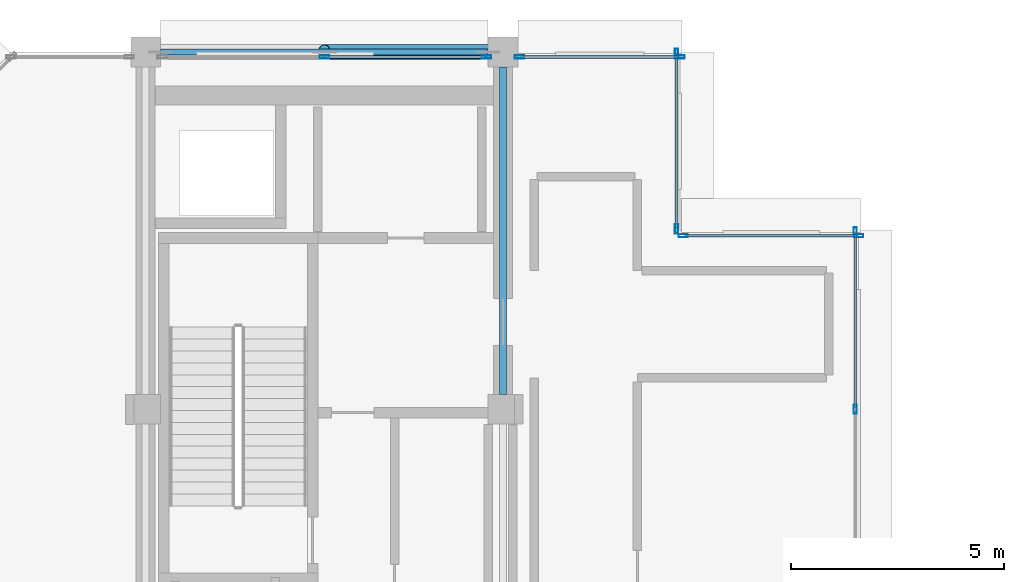
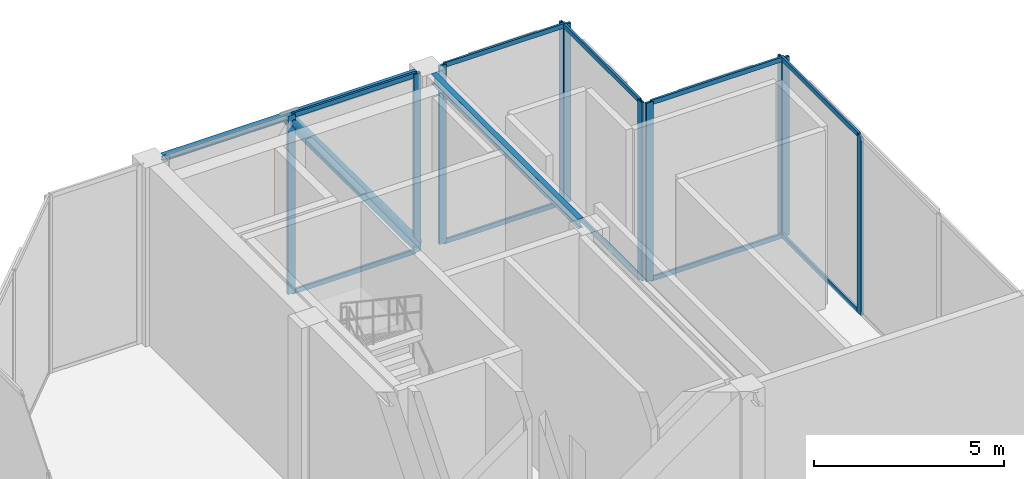
# One storey, part 13 of 19: 21 members, 2 beams, 5 elements without a shape of their own.
"""IFC4 building model written with IfcOpenShell, lengths in metres."""

from ifc_helpers import new_model, si_unit, direction, frame, origin, origin_2d, place, context, subcontext, project, spatial, hollow_rectangle, hollow_circle, i_section, extrude, material, layer, layer_set, material_profile, profile_set, type_object, element, aggregate, save


model = new_model("IFC4")

# Units and contexts
model_context = context("Model", 3, precision=1e-05, world=origin(), true_north=direction((0.0, 1.0)))
body_context = subcontext(model_context, "Body", "Model", "MODEL_VIEW")
ifc_project = project(units=[si_unit("LENGTHUNIT", "METRE"), si_unit("AREAUNIT", "SQUARE_METRE"), si_unit("VOLUMEUNIT", "CUBIC_METRE"), si_unit("PLANEANGLEUNIT", "RADIAN"), si_unit("MASSUNIT", "GRAM", prefix="KILO")], contexts=[model_context])

# Site, building, storey
site_placement = place(None, origin())
site = spatial("IfcSite", under=ifc_project, at=site_placement, CompositionType="ELEMENT")
building_placement = place(site_placement, origin())
building = spatial("IfcBuilding", under=site, at=building_placement, Name="Nerrivon Quay Data Exchange", CompositionType="ELEMENT")
storey_placement = place(building_placement, frame((0.0, 0.0, 327.0)))
storey = spatial("IfcBuildingStorey", under=building, at=storey_placement, Name="L78", CompositionType="ELEMENT", Elevation=327.0)

# Beams
ifc_material_1 = material(Name="Steel Grade 350", Category="steel")
ifc_material_profile_1 = material_profile(ifc_material_1, i_section(OverallWidth=0.166015625, OverallDepth=0.306884765625, WebThickness=0.006591796875, FlangeThickness=0.01171875, FilletRadius=0.011474609375, at=origin_2d()), Name="310UB46.2")
ifc_profile_set_1 = profile_set([ifc_material_profile_1], Name="Steel Grade 350")
beam_type_1 = type_object("IfcBeamType", Name="BM-J5-310UB46", PredefinedType="JOIST", material=ifc_profile_set_1)
beam_1_placement = place(storey_placement, frame((16.800048828125, 33.949951171875, 5.571533203125), z_axis=(0.0, 1.0, 0.0), x_axis=(-1.0, 0.0, 0.0)))
element("IfcBeam", 1, at=beam_1_placement, inside=storey, type_object=beam_type_1, Name="L78 NS Girder X=16.8 (33.6..42.0)", PredefinedType="JOIST", context=body_context, shape_type="SweptSolid", body=[
    extrude(i_section(OverallWidth=0.166015625, OverallDepth=0.306884765625, WebThickness=0.006591796875, FlangeThickness=0.01171875, FilletRadius=0.011474609375, at=origin_2d()), origin(), (0.0, 0.0, 1.0), 7.699951171875),
])
ifc_material_profile_2 = material_profile(ifc_material_1, i_section(OverallWidth=0.134033203125, OverallDepth=0.20703125, WebThickness=0.00634765625, FlangeThickness=0.009521484375, FilletRadius=0.0087890625, at=origin_2d()), Name="200UB29.8")
ifc_profile_set_2 = profile_set([ifc_material_profile_2], Name="Steel Grade 350")
beam_type_2 = type_object("IfcBeamType", Name="BM-J8-200UB30", PredefinedType="JOIST", material=ifc_profile_set_2)
beam_2_placement = place(storey_placement, frame((8.75, 42.0, 5.62158203125), z_axis=(1.0, 0.0, 0.0), x_axis=(0.0, 1.0, 0.0)))
element("IfcBeam", 2, at=beam_2_placement, inside=storey, type_object=beam_type_2, Name="L78 EW Girder Y=42.0 (8.4..16.8)", PredefinedType="JOIST", context=body_context, shape_type="SweptSolid", body=[
    extrude(i_section(OverallWidth=0.134033203125, OverallDepth=0.20703125, WebThickness=0.00634765625, FlangeThickness=0.009521484375, FilletRadius=0.0087890625, at=origin_2d()), origin(), (0.0, 0.0, 1.0), 7.699951171875),
])

# Curtain wall, members
ifc_material_2 = material(Name="Anodised aluminium 6063-T6", Category="aluminium")
ifc_layer = layer(ifc_material_2, 0.22998046875)
ifc_layer_set = layer_set([ifc_layer], Name="Anodised aluminium 6063-T6")
curtain_wall_type = type_object("IfcCurtainWallType", Name="CW-SYS-05", PredefinedType="NOTDEFINED", material=ifc_layer_set)
curtain_wall_1_placement = place(storey_placement, origin())
curtain_wall_1 = element("IfcCurtainWall", 3, at=curtain_wall_1_placement, inside=storey, type_object=curtain_wall_type, Name="L78 Crown Curtain Wall 16", PredefinedType="NOTDEFINED")
ifc_material_profile_3 = material_profile(ifc_material_2, hollow_rectangle(XDim=0.074951171875, YDim=0.219970703125, WallThickness=0.00390625, at=origin_2d()), Name="ALU-MULL-220x75")
ifc_profile_set_3 = profile_set([ifc_material_profile_3], Name="Anodised aluminium 6063-T6")
member_type_1 = type_object("IfcMemberType", Name="CWM-220x75", PredefinedType="MULLION", material=ifc_profile_set_3)
member_1_placement = place(storey_placement, frame((12.60009765625, 41.8798828125, 0.0), z_axis=(0.0, 0.0, 1.0), x_axis=(0.0, 1.0, 0.0)))
member_1 = element("IfcMember", 4, at=member_1_placement, type_object=member_type_1, Name="CW05 mullion 2", PredefinedType="MULLION", context=body_context, shape_type="SweptSolid", body=[
    extrude(hollow_rectangle(XDim=0.074951171875, YDim=0.219970703125, WallThickness=0.00390625, at=origin_2d()), origin(), (0.0, 0.0, 1.0), 5.72509765625),
])
member_2_placement = place(storey_placement, frame((16.41259765625, 41.8798828125, 0.0), z_axis=(0.0, 0.0, 1.0), x_axis=(0.0, 1.0, 0.0)))
member_2 = element("IfcMember", 5, at=member_2_placement, type_object=member_type_1, Name="CW05 mullion 3", PredefinedType="MULLION", context=body_context, shape_type="SweptSolid", body=[
    extrude(hollow_rectangle(XDim=0.074951171875, YDim=0.219970703125, WallThickness=0.00390625, at=origin_2d()), origin(), (0.0, 0.0, 1.0), 5.72509765625),
])

curtain_wall_2_placement = place(storey_placement, origin())
curtain_wall_2 = element("IfcCurtainWall", 6, at=curtain_wall_2_placement, inside=storey, type_object=curtain_wall_type, Name="L78 Crown Curtain Wall 17", PredefinedType="NOTDEFINED")
member_3_placement = place(storey_placement, frame((17.1875, 41.8798828125, 0.0), z_axis=(0.0, 0.0, 1.0), x_axis=(0.0, 1.0, 0.0)))
member_3 = element("IfcMember", 7, at=member_3_placement, type_object=member_type_1, Name="CW05 mullion 1", PredefinedType="MULLION", context=body_context, shape_type="SweptSolid", body=[
    extrude(hollow_rectangle(XDim=0.074951171875, YDim=0.219970703125, WallThickness=0.00390625, at=origin_2d()), origin(), (0.0, 0.0, 1.0), 5.72509765625),
])
member_4_placement = place(storey_placement, frame((20.96240234375, 41.8798828125, 0.0), z_axis=(0.0, 0.0, 1.0), x_axis=(0.0, 1.0, 0.0)))
member_4 = element("IfcMember", 8, at=member_4_placement, type_object=member_type_1, Name="CW05 mullion 2", PredefinedType="MULLION", context=body_context, shape_type="SweptSolid", body=[
    extrude(hollow_rectangle(XDim=0.074951171875, YDim=0.219970703125, WallThickness=0.00390625, at=origin_2d()), origin(), (0.0, 0.0, 1.0), 5.72509765625),
])

curtain_wall_3_placement = place(storey_placement, origin())
curtain_wall_3 = element("IfcCurtainWall", 9, at=curtain_wall_3_placement, inside=storey, type_object=curtain_wall_type, Name="L78 Crown Curtain Wall 18", PredefinedType="NOTDEFINED")
member_5_placement = place(storey_placement, frame((20.8798828125, 41.96240234375, 0.0), z_axis=(0.0, 0.0, 1.0), x_axis=(1.0, 0.0, 0.0)))
member_5 = element("IfcMember", 10, at=member_5_placement, type_object=member_type_1, Name="CW05 mullion 1", PredefinedType="MULLION", context=body_context, shape_type="SweptSolid", body=[
    extrude(hollow_rectangle(XDim=0.074951171875, YDim=0.219970703125, WallThickness=0.00390625, at=origin_2d()), origin(), (0.0, 0.0, 1.0), 5.72509765625),
])
member_6_placement = place(storey_placement, frame((20.8798828125, 37.83740234375, 0.0), z_axis=(0.0, 0.0, 1.0), x_axis=(1.0, 0.0, 0.0)))
member_6 = element("IfcMember", 11, at=member_6_placement, type_object=member_type_1, Name="CW05 mullion 2", PredefinedType="MULLION", context=body_context, shape_type="SweptSolid", body=[
    extrude(hollow_rectangle(XDim=0.074951171875, YDim=0.219970703125, WallThickness=0.00390625, at=origin_2d()), origin(), (0.0, 0.0, 1.0), 5.72509765625),
])

curtain_wall_4_placement = place(storey_placement, origin())
curtain_wall_4 = element("IfcCurtainWall", 12, at=curtain_wall_4_placement, inside=storey, type_object=curtain_wall_type, Name="L78 Crown Curtain Wall 19", PredefinedType="NOTDEFINED")
member_7_placement = place(storey_placement, frame((21.03759765625, 37.679931640625, 0.0), z_axis=(0.0, 0.0, 1.0), x_axis=(0.0, 1.0, 0.0)))
member_7 = element("IfcMember", 13, at=member_7_placement, type_object=member_type_1, Name="CW05 mullion 1", PredefinedType="MULLION", context=body_context, shape_type="SweptSolid", body=[
    extrude(hollow_rectangle(XDim=0.074951171875, YDim=0.219970703125, WallThickness=0.00390625, at=origin_2d()), origin(), (0.0, 0.0, 1.0), 5.72509765625),
])
member_8_placement = place(storey_placement, frame((25.16259765625, 37.679931640625, 0.0), z_axis=(0.0, 0.0, 1.0), x_axis=(0.0, 1.0, 0.0)))
member_8 = element("IfcMember", 14, at=member_8_placement, type_object=member_type_1, Name="CW05 mullion 2", PredefinedType="MULLION", context=body_context, shape_type="SweptSolid", body=[
    extrude(hollow_rectangle(XDim=0.074951171875, YDim=0.219970703125, WallThickness=0.00390625, at=origin_2d()), origin(), (0.0, 0.0, 1.0), 5.72509765625),
])

curtain_wall_5_placement = place(storey_placement, origin())
curtain_wall_5 = element("IfcCurtainWall", 15, at=curtain_wall_5_placement, inside=storey, type_object=curtain_wall_type, Name="L78 Crown Curtain Wall 20", PredefinedType="NOTDEFINED")
member_9_placement = place(storey_placement, frame((25.080078125, 37.762451171875, 0.0), z_axis=(0.0, 0.0, 1.0), x_axis=(1.0, 0.0, 0.0)))
member_9 = element("IfcMember", 16, at=member_9_placement, type_object=member_type_1, Name="CW05 mullion 1", PredefinedType="MULLION", context=body_context, shape_type="SweptSolid", body=[
    extrude(hollow_rectangle(XDim=0.074951171875, YDim=0.219970703125, WallThickness=0.00390625, at=origin_2d()), origin(), (0.0, 0.0, 1.0), 5.72509765625),
])
member_10_placement = place(storey_placement, frame((25.080078125, 33.60009765625, 0.0), z_axis=(0.0, 0.0, 1.0), x_axis=(1.0, 0.0, 0.0)))
member_10 = element("IfcMember", 17, at=member_10_placement, type_object=member_type_1, Name="CW05 mullion 2", PredefinedType="MULLION", context=body_context, shape_type="SweptSolid", body=[
    extrude(hollow_rectangle(XDim=0.074951171875, YDim=0.219970703125, WallThickness=0.00390625, at=origin_2d()), origin(), (0.0, 0.0, 1.0), 5.72509765625),
])

# Member
ifc_material_profile_4 = material_profile(ifc_material_2, hollow_rectangle(XDim=0.06494140625, YDim=0.14990234375, WallThickness=0.00341796875, at=origin_2d()), Name="ALU-TRAN-150x65")
ifc_profile_set_4 = profile_set([ifc_material_profile_4], Name="Anodised aluminium 6063-T6")
member_type_2 = type_object("IfcMemberType", Name="CWT-150x65", PredefinedType="USERDEFINED", material=ifc_profile_set_4)
member_11_placement = place(storey_placement, frame((12.637451171875, 41.8798828125, 0.032470703125), z_axis=(1.0, 0.0, 0.0), x_axis=(0.0, 1.0, 0.0)))
member_11 = element("IfcMember", 18, at=member_11_placement, type_object=member_type_2, Name="CW05 transom 2.1", ObjectType="TRANSOM", PredefinedType="USERDEFINED", context=body_context, shape_type="SweptSolid", body=[
    extrude(hollow_rectangle(XDim=0.06494140625, YDim=0.14990234375, WallThickness=0.00341796875, at=origin_2d()), origin(), (0.0, 0.0, 1.0), 3.737548828125),
])

member_12_placement = place(storey_placement, frame((12.637451171875, 41.8798828125, 5.6923828125), z_axis=(1.0, 0.0, 0.0), x_axis=(0.0, 1.0, 0.0)))
member_12 = element("IfcMember", 19, at=member_12_placement, type_object=member_type_2, Name="CW05 transom 2.2", ObjectType="TRANSOM", PredefinedType="USERDEFINED", context=body_context, shape_type="SweptSolid", body=[
    extrude(hollow_rectangle(XDim=0.06494140625, YDim=0.14990234375, WallThickness=0.00341796875, at=origin_2d()), origin(), (0.0, 0.0, 1.0), 3.737548828125),
])

aggregate(curtain_wall_1, [member_1, member_2, member_11, member_12])

member_13_placement = place(storey_placement, frame((17.22509765625, 41.8798828125, 0.032470703125), z_axis=(1.0, 0.0, 0.0), x_axis=(0.0, 1.0, 0.0)))
member_13 = element("IfcMember", 20, at=member_13_placement, type_object=member_type_2, Name="CW05 transom 1.1", ObjectType="TRANSOM", PredefinedType="USERDEFINED", context=body_context, shape_type="SweptSolid", body=[
    extrude(hollow_rectangle(XDim=0.06494140625, YDim=0.14990234375, WallThickness=0.00341796875, at=origin_2d()), origin(), (0.0, 0.0, 1.0), 3.699951171875),
])

member_14_placement = place(storey_placement, frame((17.22509765625, 41.8798828125, 5.6923828125), z_axis=(1.0, 0.0, 0.0), x_axis=(0.0, 1.0, 0.0)))
member_14 = element("IfcMember", 21, at=member_14_placement, type_object=member_type_2, Name="CW05 transom 1.2", ObjectType="TRANSOM", PredefinedType="USERDEFINED", context=body_context, shape_type="SweptSolid", body=[
    extrude(hollow_rectangle(XDim=0.06494140625, YDim=0.14990234375, WallThickness=0.00341796875, at=origin_2d()), origin(), (0.0, 0.0, 1.0), 3.699951171875),
])

aggregate(curtain_wall_2, [member_3, member_4, member_13, member_14])

member_15_placement = place(storey_placement, frame((20.8798828125, 41.925048828125, 0.032470703125), z_axis=(0.0, -1.0, 0.0), x_axis=(1.0, 0.0, 0.0)))
member_15 = element("IfcMember", 22, at=member_15_placement, type_object=member_type_2, Name="CW05 transom 1.1", ObjectType="TRANSOM", PredefinedType="USERDEFINED", context=body_context, shape_type="SweptSolid", body=[
    extrude(hollow_rectangle(XDim=0.06494140625, YDim=0.14990234375, WallThickness=0.00341796875, at=origin_2d()), origin(), (0.0, 0.0, 1.0), 4.050048828125),
])

member_16_placement = place(storey_placement, frame((20.8798828125, 41.925048828125, 5.6923828125), z_axis=(0.0, -1.0, 0.0), x_axis=(1.0, 0.0, 0.0)))
member_16 = element("IfcMember", 23, at=member_16_placement, type_object=member_type_2, Name="CW05 transom 1.2", ObjectType="TRANSOM", PredefinedType="USERDEFINED", context=body_context, shape_type="SweptSolid", body=[
    extrude(hollow_rectangle(XDim=0.06494140625, YDim=0.14990234375, WallThickness=0.00341796875, at=origin_2d()), origin(), (0.0, 0.0, 1.0), 4.050048828125),
])

aggregate(curtain_wall_3, [member_5, member_6, member_15, member_16])

member_17_placement = place(storey_placement, frame((21.074951171875, 37.679931640625, 0.032470703125), z_axis=(1.0, 0.0, 0.0), x_axis=(0.0, 1.0, 0.0)))
member_17 = element("IfcMember", 24, at=member_17_placement, type_object=member_type_2, Name="CW05 transom 1.1", ObjectType="TRANSOM", PredefinedType="USERDEFINED", context=body_context, shape_type="SweptSolid", body=[
    extrude(hollow_rectangle(XDim=0.06494140625, YDim=0.14990234375, WallThickness=0.00341796875, at=origin_2d()), origin(), (0.0, 0.0, 1.0), 4.050048828125),
])

member_18_placement = place(storey_placement, frame((21.074951171875, 37.679931640625, 5.6923828125), z_axis=(1.0, 0.0, 0.0), x_axis=(0.0, 1.0, 0.0)))
member_18 = element("IfcMember", 25, at=member_18_placement, type_object=member_type_2, Name="CW05 transom 1.2", ObjectType="TRANSOM", PredefinedType="USERDEFINED", context=body_context, shape_type="SweptSolid", body=[
    extrude(hollow_rectangle(XDim=0.06494140625, YDim=0.14990234375, WallThickness=0.00341796875, at=origin_2d()), origin(), (0.0, 0.0, 1.0), 4.050048828125),
])

aggregate(curtain_wall_4, [member_7, member_8, member_17, member_18])

member_19_placement = place(storey_placement, frame((25.080078125, 37.72509765625, 0.032470703125), z_axis=(0.0, -1.0, 0.0), x_axis=(1.0, 0.0, 0.0)))
member_19 = element("IfcMember", 26, at=member_19_placement, type_object=member_type_2, Name="CW05 transom 1.1", ObjectType="TRANSOM", PredefinedType="USERDEFINED", context=body_context, shape_type="SweptSolid", body=[
    extrude(hollow_rectangle(XDim=0.06494140625, YDim=0.14990234375, WallThickness=0.00341796875, at=origin_2d()), origin(), (0.0, 0.0, 1.0), 4.087646484375),
])

member_20_placement = place(storey_placement, frame((25.080078125, 37.72509765625, 5.6923828125), z_axis=(0.0, -1.0, 0.0), x_axis=(1.0, 0.0, 0.0)))
member_20 = element("IfcMember", 27, at=member_20_placement, type_object=member_type_2, Name="CW05 transom 1.2", ObjectType="TRANSOM", PredefinedType="USERDEFINED", context=body_context, shape_type="SweptSolid", body=[
    extrude(hollow_rectangle(XDim=0.06494140625, YDim=0.14990234375, WallThickness=0.00341796875, at=origin_2d()), origin(), (0.0, 0.0, 1.0), 4.087646484375),
])

aggregate(curtain_wall_5, [member_9, member_10, member_19, member_20])

ifc_material_3 = material(Name="Steel Grade C350L0 (350 MPa)", Category="steel")
ifc_material_profile_5 = material_profile(ifc_material_3, hollow_circle(Radius=0.177734375, WallThickness=0.01611328125, at=origin_2d()), Name="355.6x16.0CHS")
ifc_profile_set_5 = profile_set([ifc_material_profile_5], Name="Steel Grade C350L0 (350 MPa)")
member_type_3 = type_object("IfcMemberType", Name="MEM-PB1-355CHS", PredefinedType="BRACE", material=ifc_profile_set_5)
member_21_placement = place(storey_placement, frame((16.449951171875, 42.0, 0.179931640625), z_axis=(-0.584223715119, 0.0, 0.811592663035), x_axis=(0.0, -1.0, 0.0)))
element("IfcMember", 28, at=member_21_placement, inside=storey, type_object=member_type_3, Name="L78 structural brace PB-L78-02B", PredefinedType="BRACE", context=body_context, shape_type="SweptSolid", body=[
    extrude(hollow_circle(Radius=0.177734375, WallThickness=0.01611328125, at=origin_2d()), origin(), (0.0, 0.0, 1.0), 6.589599609375),
])

save(model, "model.ifc")
